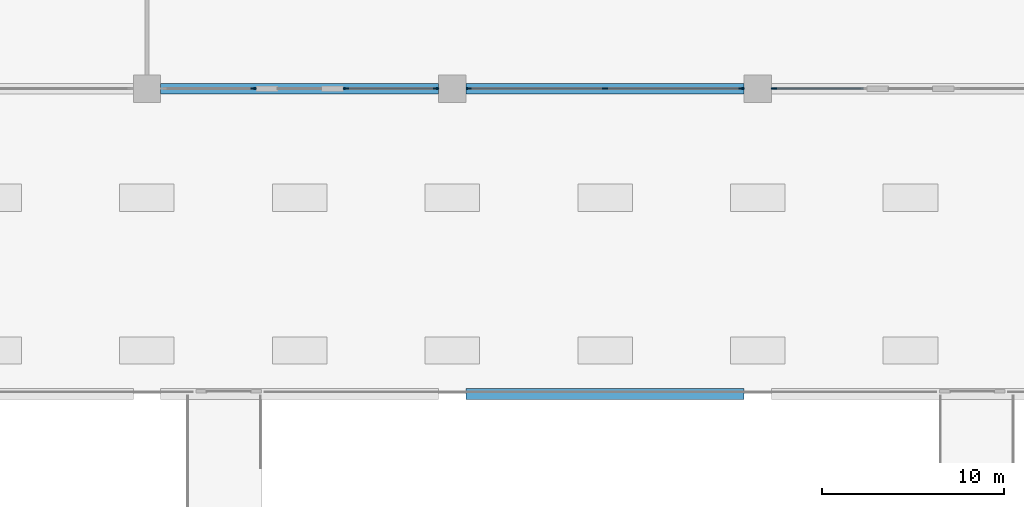
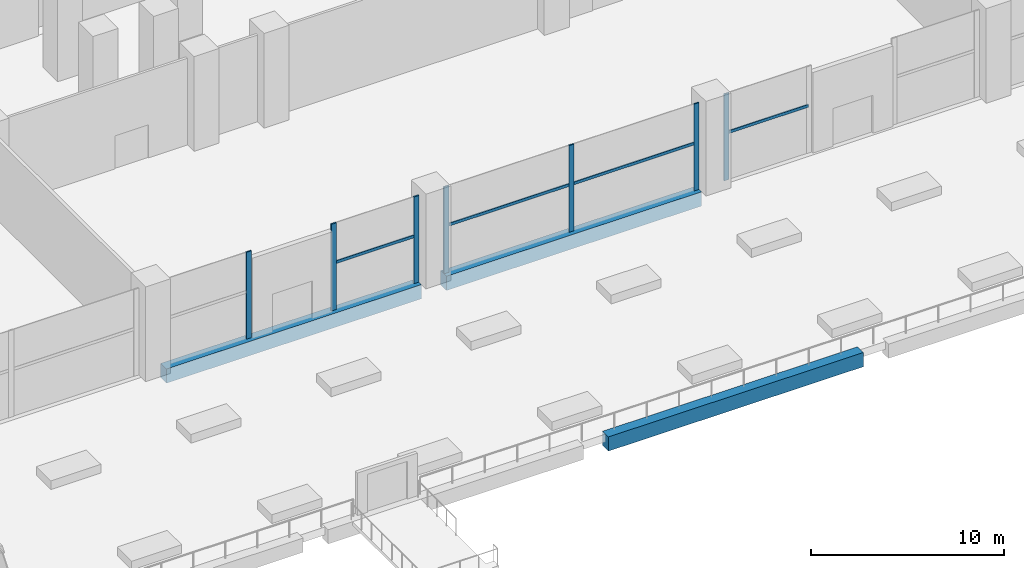
# One storey, part 5 of 47: 11 members, 3 beams, 4 elements without a shape of their own.
"""IFC4 building model written with IfcOpenShell, lengths in metres."""

import ifcopenshell
import ifcopenshell.guid

model = None  # the IFC model being written
_history = None  # IfcOwnerHistory: only IFC2X3 demands one
_inside = {}  # id of a spatial element -> (the spatial element, [elements in it])
_under = {}  # id of a project, library or spatial element -> (it, [spatial elements below it])
_declared = {}  # id of a project -> (the project, [libraries it declares])
_typed = {}  # id of a type object -> (the type object, [elements of that type])
_made_of = {}  # id of a material, layer set ... -> (it, [elements and type objects made of it])


def new_model(schema):
    """Start an empty IFC model of exactly this schema.

    Asked for "IFC4X3", IfcOpenShell would pick the latest addendum, in which some entities
    have other attributes; the version numbers below select the first issue.
    IFC2X3 requires an IfcOwnerHistory on every rooted entity: one is made here for all.
    """
    global model, _history
    if schema == "IFC4X3":
        model = ifcopenshell.file(schema_version=(4, 3, 0, 0))
    else:
        model = ifcopenshell.file(schema=schema)
    _inside.clear()
    _under.clear()
    _declared.clear()
    _typed.clear()
    _made_of.clear()
    _history = None
    if model.schema == "IFC2X3":
        org = make("IfcOrganization", Name="unknown")
        user = make(
            "IfcPersonAndOrganization",
            ThePerson=make("IfcPerson", FamilyName="unknown"),
            TheOrganization=org,
        )
        app = make(
            "IfcApplication",
            ApplicationDeveloper=org,
            Version="unknown",
            ApplicationFullName="unknown",
            ApplicationIdentifier="unknown",
        )
        _history = make(
            "IfcOwnerHistory",
            OwningUser=user,
            OwningApplication=app,
            ChangeAction="ADDED",
            CreationDate=0,
        )
    return model


def make(cls, **values):
    """One entity of the class cls with the attributes given. An attribute that is None is left unset."""
    return model.create_entity(
        cls, **{name: value for name, value in values.items() if value is not None}
    )


def rooted(cls, **values):
    """An entity with a GlobalId (a new one), such as an element, a storey or a relation."""
    return make(cls, GlobalId=ifcopenshell.guid.new(), OwnerHistory=_history, **values)


def si_unit(unit_type, name, prefix=None):
    """IfcSIUnit, for example si_unit("LENGTHUNIT", "METRE", prefix="MILLI")."""
    return make("IfcSIUnit", UnitType=unit_type, Prefix=prefix, Name=name)


def assignment(units):
    """IfcUnitAssignment: the units of a project."""
    return None if units is None else make("IfcUnitAssignment", Units=units)


def point(xyz):
    """IfcCartesianPoint."""
    return None if xyz is None else make("IfcCartesianPoint", Coordinates=xyz)


def direction(xyz):
    """IfcDirection."""
    return None if xyz is None else make("IfcDirection", DirectionRatios=xyz)


def frame(location, z_axis=None, x_axis=None):
    """IfcAxis2Placement3D, a coordinate frame: its origin and axes. An axis left out is left unset."""
    return make(
        "IfcAxis2Placement3D",
        Location=point(location),
        Axis=direction(z_axis),
        RefDirection=direction(x_axis),
    )


def frame_2d(location, x_axis=None):
    """IfcAxis2Placement2D, a coordinate frame in the plane: its origin and x axis."""
    return make(
        "IfcAxis2Placement2D", Location=point(location), RefDirection=direction(x_axis)
    )


def origin():
    """The frame at (0, 0, 0) with its axes left unset."""
    return frame((0.0, 0.0, 0.0))


def origin_2d():
    """The frame at (0, 0) in the plane with its x axis left unset."""
    return frame_2d((0.0, 0.0))


def place(relative_to, where):
    """IfcLocalPlacement: puts the frame where relative to a parent placement (None: the world)."""
    return make(
        "IfcLocalPlacement", PlacementRelTo=relative_to, RelativePlacement=where
    )


def context(
    kind, dimensions, precision=None, world=None, true_north=None, identifier=None
):
    """IfcGeometricRepresentationContext, for example the 3D "Model" context."""
    return make(
        "IfcGeometricRepresentationContext",
        ContextIdentifier=identifier,
        ContextType=kind,
        CoordinateSpaceDimension=dimensions,
        Precision=precision,
        WorldCoordinateSystem=world,
        TrueNorth=true_north,
    )


def subcontext(parent, identifier, kind, view, scale=None):
    """IfcGeometricRepresentationSubContext, for example "Body" below "Model"."""
    return make(
        "IfcGeometricRepresentationSubContext",
        ContextIdentifier=identifier,
        ContextType=kind,
        ParentContext=parent,
        TargetScale=scale,
        TargetView=view,
    )


def project(units=None, contexts=None):
    """IfcProject with its units and contexts."""
    return rooted(
        "IfcProject",
        Name="project",
        RepresentationContexts=contexts,
        UnitsInContext=assignment(units),
    )


def spatial(cls, under=None, at=None, **own):
    """A site, building, storey or space (cls), placed at a placement, below another one or the project."""
    s = rooted(cls, ObjectPlacement=at, **own)
    if under is not None:
        _under.setdefault(under.id(), (under, []))[1].append(s)
    return s


def profile(cls, at=None, kind="AREA", **sizes):
    """A parametric profile (cls). Its sizes go by their IFC names, for example OverallWidth=200.0."""
    return make(cls, ProfileType=kind, Position=at, **sizes)


def rectangle(**sizes):
    """IfcRectangleProfileDef."""
    return profile("IfcRectangleProfileDef", **sizes)


def extrude(swept, where, along, depth):
    """IfcExtrudedAreaSolid: the profile swept, set in the frame where, extruded along a direction by depth."""
    return make(
        "IfcExtrudedAreaSolid",
        SweptArea=swept,
        Position=where,
        ExtrudedDirection=direction(along),
        Depth=depth,
    )


def shape(context_of_items, identifier, shape_type, items):
    """IfcShapeRepresentation: the items that make up one representation, for example the "Body"."""
    return make(
        "IfcShapeRepresentation",
        ContextOfItems=context_of_items,
        RepresentationIdentifier=identifier,
        RepresentationType=shape_type,
        Items=items,
    )


def material(Name=None, Category=None):
    """IfcMaterial."""
    return make("IfcMaterial", Name=Name, Category=Category)


def material_profile(
    of_material, cross_section, Name=None, Category=None, Priority=None
):
    """IfcMaterialProfile: a cross section and its material."""
    return make(
        "IfcMaterialProfile",
        Name=Name,
        Material=of_material,
        Profile=cross_section,
        Priority=Priority,
        Category=Category,
    )


def profile_set(profiles, Name=None, composite=None):
    """IfcMaterialProfileSet."""
    return make(
        "IfcMaterialProfileSet",
        Name=Name,
        MaterialProfiles=profiles,
        CompositeProfile=composite,
    )


def made_of(thing, what):
    """Note that an element or type object is made of a material, layer set ...; save() writes the relation."""
    if what is not None:
        _made_of.setdefault(what.id(), (what, []))[1].append(thing)
    return thing


def type_object(cls, material=None, **own):
    """A type object (cls), such as IfcWallType, which elements share."""
    return made_of(rooted(cls, **own), material)


def element(
    cls,
    number,
    at=None,
    inside=None,
    cuts=None,
    type_object=None,
    material=None,
    context=None,
    identifier="Body",
    shape_type=None,
    held_by="IfcProductDefinitionShape",
    body=None,
    shapes=None,
    **own,
):
    """One element of the class cls, such as IfcWall. Its Tag is "e" and its number.

    at: its placement. inside: the storey or other place that contains it. cuts: it is an
    opening in that element (IfcRelVoidsElement). A single representation is given by context,
    identifier, shape_type and body (its items); several are given by shapes. held_by: the class
    of the entity that holds the representations. save() writes the other relations.
    """
    e = rooted(cls, Tag="e%d" % number, ObjectPlacement=at, **own)
    if body is not None:
        shapes = [shape(context, identifier, shape_type, body)]
    if shapes is not None:
        e.Representation = make(held_by, Representations=shapes)
    if inside is not None:
        _inside.setdefault(inside.id(), (inside, []))[1].append(e)
    if cuts is not None:
        rooted(
            "IfcRelVoidsElement", RelatingBuildingElement=cuts, RelatedOpeningElement=e
        )
    if type_object is not None:
        _typed.setdefault(type_object.id(), (type_object, []))[1].append(e)
    return made_of(e, material)


def aggregate(whole, parts):
    """IfcRelAggregates: a whole, such as a stair, and the parts it consists of."""
    return rooted("IfcRelAggregates", RelatingObject=whole, RelatedObjects=parts)


def save(model, path):
    """Write the relations noted so far, then the file.

    IfcRelAggregates (storeys below a building ...), IfcRelContainedInSpatialStructure (elements
    in a storey), IfcRelDefinesByType, IfcRelAssociatesMaterial and IfcRelDeclares: one each for
    every whole, place, type object, material and project.
    """
    for whole, parts in _under.values():
        aggregate(whole, parts)
    for where, things in _inside.values():
        rooted(
            "IfcRelContainedInSpatialStructure",
            RelatedElements=things,
            RelatingStructure=where,
        )
    for kind, things in _typed.values():
        rooted("IfcRelDefinesByType", RelatedObjects=things, RelatingType=kind)
    for what, things in _made_of.values():
        rooted("IfcRelAssociatesMaterial", RelatedObjects=things, RelatingMaterial=what)
    for by, libraries in _declared.values():
        rooted("IfcRelDeclares", RelatingContext=by, RelatedDefinitions=libraries)
    model.write(path)


model = new_model("IFC4")

# Units and contexts
model_context = context("Model", 3, precision=1e-05, world=origin(), true_north=direction((0.0, 1.0)))
body_context = subcontext(model_context, "Body", "Model", "MODEL_VIEW")
ifc_project = project(units=[si_unit("LENGTHUNIT", "METRE"), si_unit("AREAUNIT", "SQUARE_METRE"), si_unit("VOLUMEUNIT", "CUBIC_METRE"), si_unit("PLANEANGLEUNIT", "RADIAN"), si_unit("MASSUNIT", "GRAM", prefix="KILO")], contexts=[model_context])

# Site, building, storey
site_placement = place(None, origin())
site = spatial("IfcSite", under=ifc_project, at=site_placement, CompositionType="ELEMENT")
building_placement = place(site_placement, origin())
building = spatial("IfcBuilding", under=site, at=building_placement, Name="Candeia Pilgrim Tower and Theatre", CompositionType="ELEMENT")
storey_placement = place(building_placement, frame((0.0, 0.0, 23.0)))
storey = spatial("IfcBuildingStorey", under=building, at=storey_placement, Name="L03", CompositionType="ELEMENT", Elevation=23.0)

# Curtain wall, member
ifc_material_1 = material(Name="Aluminium framed podium glazing", Category="aluminium")
curtain_wall_type = type_object("IfcCurtainWallType", Name="CW-P curtain wall", PredefinedType="NOTDEFINED", material=ifc_material_1)
curtain_wall_1_placement = place(storey_placement, origin())
curtain_wall_1 = element("IfcCurtainWall", 1, at=curtain_wall_1_placement, inside=storey, type_object=curtain_wall_type, Name="Curtain wall CW-P L03.321", PredefinedType="NOTDEFINED")
ifc_material_2 = material(Name="Anodised aluminium", Category="aluminium")
ifc_material_profile_1 = material_profile(ifc_material_2, rectangle(XDim=0.080078125, YDim=0.300048828125, at=origin_2d()))
ifc_profile_set_1 = profile_set([ifc_material_profile_1], Name="Anodised aluminium")
member_type_1 = type_object("IfcMemberType", Name="CW-P mullion 80x300", PredefinedType="MULLION", material=ifc_profile_set_1)
member_1_placement = place(storey_placement, frame((110.10009765625, 81.199951171875, 0.0), z_axis=(0.0, 0.0, 1.0), x_axis=(0.0, -1.0, 0.0)))
member_1 = element("IfcMember", 2, at=member_1_placement, type_object=member_type_1, Name="CW-P mullion 2", PredefinedType="MULLION", context=body_context, shape_type="SweptSolid", body=[
    extrude(rectangle(XDim=0.080078125, YDim=0.300048828125, at=origin_2d()), origin(), (0.0, 0.0, 1.0), 5.5),
])

# Curtain wall, members
curtain_wall_2_placement = place(storey_placement, origin())
curtain_wall_2 = element("IfcCurtainWall", 3, at=curtain_wall_2_placement, inside=storey, type_object=curtain_wall_type, Name="Curtain wall CW-P L03.330", PredefinedType="NOTDEFINED")
member_2_placement = place(storey_placement, frame((108.300048828125, 81.199951171875, 0.0), z_axis=(0.0, 0.0, 1.0), x_axis=(0.0, -1.0, 0.0)))
member_2 = element("IfcMember", 4, at=member_2_placement, type_object=member_type_1, Name="CW-P mullion 1", PredefinedType="MULLION", context=body_context, shape_type="SweptSolid", body=[
    extrude(rectangle(XDim=0.080078125, YDim=0.300048828125, at=origin_2d()), origin(), (0.0, 0.0, 1.0), 5.5),
])
member_3_placement = place(storey_placement, frame((100.800048828125, 81.199951171875, 0.0), z_axis=(0.0, 0.0, 1.0), x_axis=(0.0, -1.0, 0.0)))
member_3 = element("IfcMember", 5, at=member_3_placement, type_object=member_type_1, Name="CW-P mullion 2", PredefinedType="MULLION", context=body_context, shape_type="SweptSolid", body=[
    extrude(rectangle(XDim=0.080078125, YDim=0.300048828125, at=origin_2d()), origin(), (0.0, 0.0, 1.0), 5.5),
])
member_4_placement = place(storey_placement, frame((93.300048828125, 81.199951171875, 0.0), z_axis=(0.0, 0.0, 1.0), x_axis=(0.0, -1.0, 0.0)))
member_4 = element("IfcMember", 6, at=member_4_placement, type_object=member_type_1, Name="CW-P mullion 3", PredefinedType="MULLION", context=body_context, shape_type="SweptSolid", body=[
    extrude(rectangle(XDim=0.080078125, YDim=0.300048828125, at=origin_2d()), origin(), (0.0, 0.0, 1.0), 5.5),
])

curtain_wall_3_placement = place(storey_placement, origin())
curtain_wall_3 = element("IfcCurtainWall", 7, at=curtain_wall_3_placement, inside=storey, type_object=curtain_wall_type, Name="Curtain wall CW-P L03.340", PredefinedType="NOTDEFINED")
member_5_placement = place(storey_placement, frame((91.5, 81.199951171875, 0.0), z_axis=(0.0, 0.0, 1.0), x_axis=(0.0, -1.0, 0.0)))
member_5 = element("IfcMember", 8, at=member_5_placement, type_object=member_type_1, Name="CW-P mullion 1", PredefinedType="MULLION", context=body_context, shape_type="SweptSolid", body=[
    extrude(rectangle(XDim=0.080078125, YDim=0.300048828125, at=origin_2d()), origin(), (0.0, 0.0, 1.0), 5.5),
])
member_6_placement = place(storey_placement, frame((86.550048828125, 81.199951171875, 0.0), z_axis=(0.0, 0.0, 1.0), x_axis=(0.0, -1.0, 0.0)))
member_6 = element("IfcMember", 9, at=member_6_placement, type_object=member_type_1, Name="CW-P mullion 2", PredefinedType="MULLION", context=body_context, shape_type="SweptSolid", body=[
    extrude(rectangle(XDim=0.080078125, YDim=0.300048828125, at=origin_2d()), origin(), (0.0, 0.0, 1.0), 5.5),
])

# Curtain wall, member
curtain_wall_4_placement = place(storey_placement, origin())
curtain_wall_4 = element("IfcCurtainWall", 10, at=curtain_wall_4_placement, inside=storey, type_object=curtain_wall_type, Name="Curtain wall CW-P L03.341", PredefinedType="NOTDEFINED")
member_7_placement = place(storey_placement, frame((81.449951171875, 81.199951171875, 0.0), z_axis=(0.0, 0.0, 1.0), x_axis=(0.0, -1.0, 0.0)))
member_7 = element("IfcMember", 11, at=member_7_placement, type_object=member_type_1, Name="CW-P mullion 1", PredefinedType="MULLION", context=body_context, shape_type="SweptSolid", body=[
    extrude(rectangle(XDim=0.080078125, YDim=0.300048828125, at=origin_2d()), origin(), (0.0, 0.0, 1.0), 5.5),
])
aggregate(curtain_wall_4, [member_7])

# Member
ifc_material_profile_2 = material_profile(ifc_material_2, rectangle(XDim=0.080078125, YDim=0.179931640625, at=origin_2d()))
ifc_profile_set_2 = profile_set([ifc_material_profile_2], Name="Anodised aluminium")
member_type_2 = type_object("IfcMemberType", Name="CW-P transom 80x180", PredefinedType="USERDEFINED", material=ifc_profile_set_2)
member_8_placement = place(storey_placement, frame((115.010009765625, 81.199951171875, 3.0), z_axis=(-1.0, 0.0, 0.0), x_axis=(0.0, -1.0, 0.0)))
member_8 = element("IfcMember", 12, at=member_8_placement, type_object=member_type_2, Name="CW-P transom 1.1", ObjectType="TRANSOM", PredefinedType="USERDEFINED", context=body_context, shape_type="SweptSolid", body=[
    extrude(rectangle(XDim=0.080078125, YDim=0.179931640625, at=origin_2d()), origin(), (0.0, 0.0, 1.0), 4.8701171875),
])

aggregate(curtain_wall_1, [member_1, member_8])

member_9_placement = place(storey_placement, frame((108.260009765625, 81.199951171875, 3.0), z_axis=(-1.0, 0.0, 0.0), x_axis=(0.0, -1.0, 0.0)))
member_9 = element("IfcMember", 13, at=member_9_placement, type_object=member_type_2, Name="CW-P transom 1.1", ObjectType="TRANSOM", PredefinedType="USERDEFINED", context=body_context, shape_type="SweptSolid", body=[
    extrude(rectangle(XDim=0.080078125, YDim=0.179931640625, at=origin_2d()), origin(), (0.0, 0.0, 1.0), 7.419921875),
])

member_10_placement = place(storey_placement, frame((100.760009765625, 81.199951171875, 3.0), z_axis=(-1.0, 0.0, 0.0), x_axis=(0.0, -1.0, 0.0)))
member_10 = element("IfcMember", 14, at=member_10_placement, type_object=member_type_2, Name="CW-P transom 2.1", ObjectType="TRANSOM", PredefinedType="USERDEFINED", context=body_context, shape_type="SweptSolid", body=[
    extrude(rectangle(XDim=0.080078125, YDim=0.179931640625, at=origin_2d()), origin(), (0.0, 0.0, 1.0), 7.419921875),
])

aggregate(curtain_wall_2, [member_2, member_3, member_4, member_9, member_10])

member_11_placement = place(storey_placement, frame((91.4599609375, 81.199951171875, 3.0), z_axis=(-1.0, 0.0, 0.0), x_axis=(0.0, -1.0, 0.0)))
member_11 = element("IfcMember", 15, at=member_11_placement, type_object=member_type_2, Name="CW-P transom 1.1", ObjectType="TRANSOM", PredefinedType="USERDEFINED", context=body_context, shape_type="SweptSolid", body=[
    extrude(rectangle(XDim=0.080078125, YDim=0.179931640625, at=origin_2d()), origin(), (0.0, 0.0, 1.0), 4.869873046875),
])

aggregate(curtain_wall_3, [member_5, member_6, member_11])

# Beams
ifc_material_3 = material(Name="Concrete C80/95", Category="concrete")
ifc_material_profile_3 = material_profile(ifc_material_3, rectangle(XDim=0.60009765625, YDim=0.89990234375, at=origin_2d()))
ifc_profile_set_3 = profile_set([ifc_material_profile_3], Name="Concrete C80/95")
beam_type = type_object("IfcBeamType", Name="RC 600x900 C80/95", PredefinedType="BEAM", material=ifc_profile_set_3)
beam_placement = place(storey_placement, frame((76.35009765625, 81.199951171875, -0.449951171875), z_axis=(1.0, 0.0, 0.0), x_axis=(0.0, 1.0, 0.0)))
element("IfcBeam", 16, at=beam_placement, inside=storey, type_object=beam_type, Name="Spandrel beam L03-22", PredefinedType="BEAM", context=body_context, shape_type="SweptSolid", body=[
    extrude(rectangle(XDim=0.60009765625, YDim=0.89990234375, at=origin_2d()), origin(), (0.0, 0.0, 1.0), 15.2998046875),
])
for number, where, z_axis, x_axis, name in (
    (17, (93.14990234375, 81.199951171875, -0.449951171875), (1.0, 0.0, 0.0), (0.0, 1.0, 0.0), "Spandrel beam L03-23"),
    (18, (108.449951171875, 64.39990234375, -0.449951171875), (-1.0, 0.0, 0.0), (0.0, -1.0, 0.0), "Spandrel beam L03-30"),
):
    element("IfcBeam", number, at=place(storey_placement, frame(where, z_axis=z_axis, x_axis=x_axis)), inside=storey, type_object=beam_type, Name=name, PredefinedType="BEAM", context=body_context, shape_type="SweptSolid", body=[
        extrude(rectangle(XDim=0.60009765625, YDim=0.89990234375, at=origin_2d()), origin(), (0.0, 0.0, 1.0), 15.300048828125),
    ])

save(model, "model.ifc")
